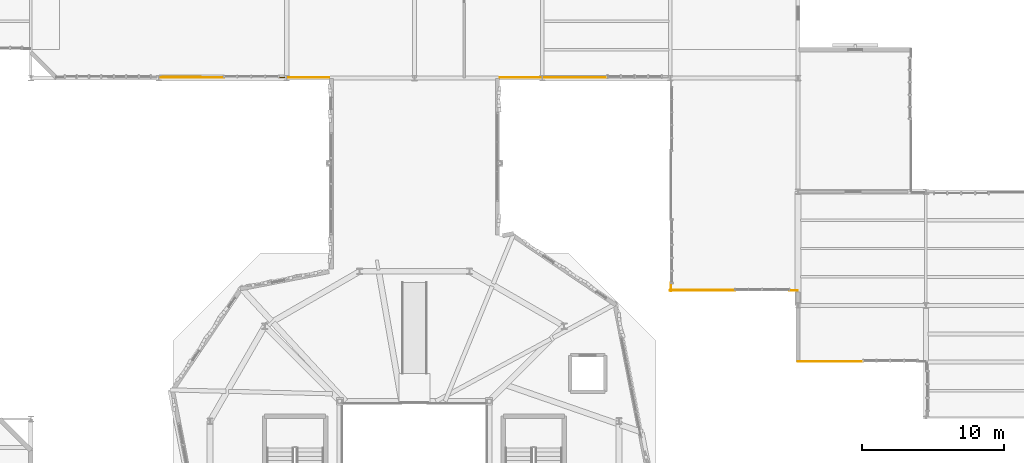
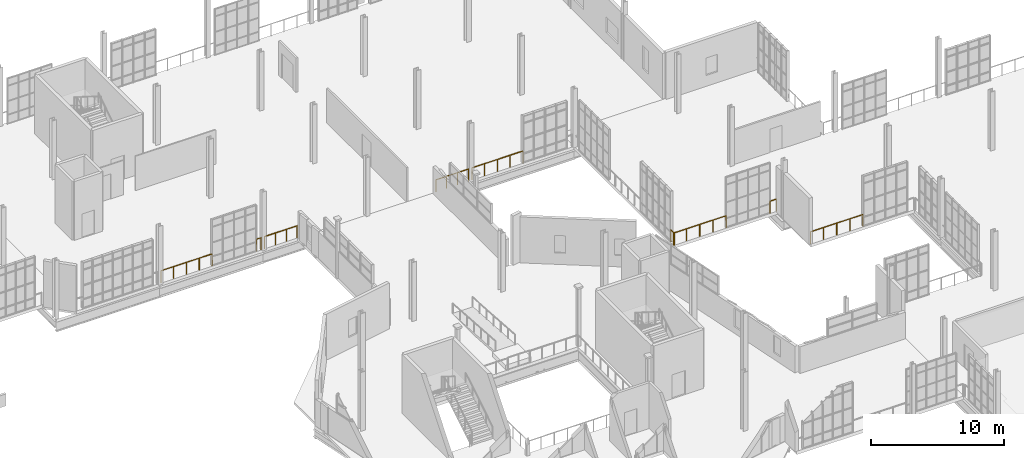
# One storey, part 137 of 142: 9 railings.
"""IFC4 building model written with IfcOpenShell, lengths in metres."""

from ifc_helpers import new_model, si_unit, direction, frame, origin, origin_2d, place, context, subcontext, project, spatial, circle, extrude, material, type_object, element, save


model = new_model("IFC4")

# Units and contexts
model_context = context("Model", 3, precision=1e-05, world=origin(), true_north=direction((0.0, 1.0)))
body_context = subcontext(model_context, "Body", "Model", "MODEL_VIEW")
ifc_project = project(units=[si_unit("LENGTHUNIT", "METRE"), si_unit("AREAUNIT", "SQUARE_METRE"), si_unit("VOLUMEUNIT", "CUBIC_METRE"), si_unit("PLANEANGLEUNIT", "RADIAN"), si_unit("MASSUNIT", "GRAM", prefix="KILO"), si_unit("THERMODYNAMICTEMPERATUREUNIT", "KELVIN"), si_unit("POWERUNIT", "WATT")], contexts=[model_context])

# Site, building, storey
site_placement = place(None, origin())
site = spatial("IfcSite", under=ifc_project, at=site_placement, CompositionType="ELEMENT")
building_placement = place(site_placement, origin())
building = spatial("IfcBuilding", under=site, at=building_placement, Name="Zelmaris Science Centre", CompositionType="ELEMENT")
storey_placement = place(building_placement, frame((0.0, 0.0, 5.39990234375)))
storey = spatial("IfcBuildingStorey", under=building, at=storey_placement, Name="L01", CompositionType="ELEMENT", Elevation=5.39990234375)

# Railings
ifc_material = material(Name="Architectural bronze alloy C28000")
railing_type = type_object("IfcRailingType", Name="Balustrade GD-01 H1120", PredefinedType="BALUSTRADE", material=ifc_material)
railing_1_placement = place(storey_placement, frame((94.57666015625, 64.047119140625, 0.0)))
element("IfcRailing", 1, at=railing_1_placement, inside=storey, type_object=railing_type, Name="L01 Perimeter safety balustrade 95", PredefinedType="BALUSTRADE", context=body_context, shape_type="SweptSolid", body=[
    extrude(circle(Radius=0.02392578125, at=origin_2d()), frame((0.0, 0.0, 1.09619140625), z_axis=(-0.999999816143, -0.000606394596, 0.0), x_axis=(0.000606394596, -0.999999816143, 0.0)), (0.0, 0.0, 1.0), 4.4287109375),
    extrude(circle(Radius=0.02099609375, at=origin_2d()), origin(), (0.0, 0.0, 1.0), 1.072021484375),
    extrude(circle(Radius=0.02099609375, at=origin_2d()), frame((-1.107177734375, -0.000732421875, 0.0)), (0.0, 0.0, 1.0), 1.072021484375),
    extrude(circle(Radius=0.02099609375, at=origin_2d()), frame((-2.21435546875, -0.00146484375, 0.0)), (0.0, 0.0, 1.0), 1.072021484375),
    extrude(circle(Radius=0.02099609375, at=origin_2d()), frame((-3.321533203125, -0.001953125, 0.0)), (0.0, 0.0, 1.0), 1.072021484375),
    extrude(circle(Radius=0.02099609375, at=origin_2d()), frame((-4.4287109375, -0.002685546875, 0.0)), (0.0, 0.0, 1.0), 1.072021484375),
])
railing_2_placement = place(storey_placement, frame((89.85205078125, 64.044189453125, 0.0)))
element("IfcRailing", 2, at=railing_2_placement, inside=storey, type_object=railing_type, Name="L01 Perimeter safety balustrade 96", PredefinedType="BALUSTRADE", context=body_context, shape_type="SweptSolid", body=[
    extrude(circle(Radius=0.02392578125, at=origin_2d()), frame((0.0, 0.0, 1.09619140625), z_axis=(-0.999999818239, -0.0006029284, 0.0), x_axis=(0.0006029284, -0.999999818239, 0.0)), (0.0, 0.0, 1.0), 2.83447265625),
    extrude(circle(Radius=0.02099609375, at=origin_2d()), origin(), (0.0, 0.0, 1.0), 1.072021484375),
    extrude(circle(Radius=0.02099609375, at=origin_2d()), frame((-0.94482421875, -0.00048828125, 0.0)), (0.0, 0.0, 1.0), 1.072021484375),
    extrude(circle(Radius=0.02099609375, at=origin_2d()), frame((-1.8896484375, -0.001220703125, 0.0)), (0.0, 0.0, 1.0), 1.072021484375),
    extrude(circle(Radius=0.02099609375, at=origin_2d()), frame((-2.83447265625, -0.001708984375, 0.0)), (0.0, 0.0, 1.0), 1.072021484375),
])
railing_3_placement = place(storey_placement, frame((112.5791015625, 44.052978515625, 0.0)))
element("IfcRailing", 3, at=railing_3_placement, inside=storey, type_object=railing_type, Name="L01 Perimeter safety balustrade 104", PredefinedType="BALUSTRADE", context=body_context, shape_type="SweptSolid", body=[
    extrude(circle(Radius=0.02392578125, at=origin_2d()), frame((0.0, 0.0, 1.09619140625), z_axis=(-0.999998804551, 0.001546252484, 0.0), x_axis=(-0.001546252484, -0.999998804551, 0.0)), (0.0, 0.0, 1.0), 4.578857421875),
    extrude(circle(Radius=0.02099609375, at=origin_2d()), origin(), (0.0, 0.0, 1.0), 1.072021484375),
    extrude(circle(Radius=0.02099609375, at=origin_2d()), frame((-1.144775390625, 0.001708984375, 0.0)), (0.0, 0.0, 1.0), 1.072021484375),
    extrude(circle(Radius=0.02099609375, at=origin_2d()), frame((-2.28955078125, 0.00341796875, 0.0)), (0.0, 0.0, 1.0), 1.072021484375),
    extrude(circle(Radius=0.02099609375, at=origin_2d()), frame((-3.43408203125, 0.00537109375, 0.0)), (0.0, 0.0, 1.0), 1.072021484375),
    extrude(circle(Radius=0.02099609375, at=origin_2d()), frame((-4.578857421875, 0.007080078125, 0.0)), (0.0, 0.0, 1.0), 1.072021484375),
])
railing_4_placement = place(storey_placement, frame((107.95751953125, 49.057373046875, 0.0)))
element("IfcRailing", 4, at=railing_4_placement, inside=storey, type_object=railing_type, Name="L01 Perimeter safety balustrade 105", PredefinedType="BALUSTRADE", context=body_context, shape_type="SweptSolid", body=[
    extrude(circle(Radius=0.02392578125, at=origin_2d()), frame((0.0, 0.0, 1.09619140625), z_axis=(-0.999999908294, 0.000428265485, 0.0), x_axis=(-0.000428265485, -0.999999908294, 0.0)), (0.0, 0.0, 1.0), 0.570068359375),
    extrude(circle(Radius=0.02099609375, at=origin_2d()), origin(), (0.0, 0.0, 1.0), 1.072021484375),
    extrude(circle(Radius=0.02099609375, at=origin_2d()), frame((-0.570068359375, 0.000244140625, 0.0)), (0.0, 0.0, 1.0), 1.072021484375),
])
railing_5_placement = place(storey_placement, frame((103.568603515625, 49.05859375, 0.0)))
element("IfcRailing", 5, at=railing_5_placement, inside=storey, type_object=railing_type, Name="L01 Perimeter safety balustrade 106", PredefinedType="BALUSTRADE", context=body_context, shape_type="SweptSolid", body=[
    extrude(circle(Radius=0.02392578125, at=origin_2d()), frame((0.0, 0.0, 1.09619140625), z_axis=(-0.999999948597, 0.000320632699, 0.0), x_axis=(-0.000320632699, -0.999999948597, 0.0)), (0.0, 0.0, 1.0), 4.568603515625),
    extrude(circle(Radius=0.02099609375, at=origin_2d()), origin(), (0.0, 0.0, 1.0), 1.072021484375),
    extrude(circle(Radius=0.02099609375, at=origin_2d()), frame((-1.14208984375, 0.00048828125, 0.0)), (0.0, 0.0, 1.0), 1.072021484375),
    extrude(circle(Radius=0.02099609375, at=origin_2d()), frame((-2.2841796875, 0.000732421875, 0.0)), (0.0, 0.0, 1.0), 1.072021484375),
    extrude(circle(Radius=0.02099609375, at=origin_2d()), frame((-3.426513671875, 0.0009765625, 0.0)), (0.0, 0.0, 1.0), 1.072021484375),
    extrude(circle(Radius=0.02099609375, at=origin_2d()), frame((-4.568603515625, 0.00146484375, 0.0)), (0.0, 0.0, 1.0), 1.072021484375),
])
railing_6_placement = place(storey_placement, frame((99.06005859375, 49.0, 0.0)))
element("IfcRailing", 6, at=railing_6_placement, inside=storey, type_object=railing_type, Name="L01 Perimeter safety balustrade 107", PredefinedType="BALUSTRADE", context=body_context, shape_type="SweptSolid", body=[
    extrude(circle(Radius=0.02392578125, at=origin_2d()), frame((0.0, 0.0, 1.09619140625), z_axis=(0.0, 1.0, 0.0), x_axis=(-1.0, 0.0, 0.0)), (0.0, 0.0, 1.0), 0.570068359375),
    extrude(circle(Radius=0.02099609375, at=origin_2d()), origin(), (0.0, 0.0, 1.0), 1.072021484375),
    extrude(circle(Radius=0.02099609375, at=origin_2d()), frame((0.0, 0.570068359375, 0.0)), (0.0, 0.0, 1.0), 1.072021484375),
])
railing_7_placement = place(storey_placement, frame((74.982421875, 64.04248046875, 0.0)))
element("IfcRailing", 7, at=railing_7_placement, inside=storey, type_object=railing_type, Name="L01 Perimeter safety balustrade 110", PredefinedType="BALUSTRADE", context=body_context, shape_type="SweptSolid", body=[
    extrude(circle(Radius=0.02392578125, at=origin_2d()), frame((0.0, 0.0, 1.09619140625), z_axis=(-0.999999628995, 0.000861400318, 0.0), x_axis=(-0.000861400318, -0.999999628995, 0.0)), (0.0, 0.0, 1.0), 2.834228515625),
    extrude(circle(Radius=0.02099609375, at=origin_2d()), origin(), (0.0, 0.0, 1.0), 1.072021484375),
    extrude(circle(Radius=0.02099609375, at=origin_2d()), frame((-0.94482421875, 0.000732421875, 0.0)), (0.0, 0.0, 1.0), 1.072021484375),
    extrude(circle(Radius=0.02099609375, at=origin_2d()), frame((-1.889404296875, 0.001708984375, 0.0)), (0.0, 0.0, 1.0), 1.072021484375),
    extrude(circle(Radius=0.02099609375, at=origin_2d()), frame((-2.834228515625, 0.00244140625, 0.0)), (0.0, 0.0, 1.0), 1.072021484375),
])
railing_8_placement = place(storey_placement, frame((71.85205078125, 64.04541015625, 0.0)))
element("IfcRailing", 8, at=railing_8_placement, inside=storey, type_object=railing_type, Name="L01 Perimeter safety balustrade 111", PredefinedType="BALUSTRADE", context=body_context, shape_type="SweptSolid", body=[
    extrude(circle(Radius=0.02392578125, at=origin_2d()), frame((0.0, 0.0, 1.09619140625), z_axis=(-0.999999832745, 0.000578368903, 0.0), x_axis=(-0.000578368903, -0.999999832745, 0.0)), (0.0, 0.0, 1.0), 0.422119140625),
    extrude(circle(Radius=0.02099609375, at=origin_2d()), origin(), (0.0, 0.0, 1.0), 1.072021484375),
    extrude(circle(Radius=0.02099609375, at=origin_2d()), frame((-0.422119140625, 0.000244140625, 0.0)), (0.0, 0.0, 1.0), 1.072021484375),
])
railing_9_placement = place(storey_placement, frame((67.590087890625, 64.04931640625, 0.0)))
element("IfcRailing", 9, at=railing_9_placement, inside=storey, type_object=railing_type, Name="L01 Perimeter safety balustrade 112", PredefinedType="BALUSTRADE", context=body_context, shape_type="SweptSolid", body=[
    extrude(circle(Radius=0.02392578125, at=origin_2d()), frame((0.0, 0.0, 1.09619140625), z_axis=(-0.999999613319, 0.000879410455, 0.0), x_axis=(-0.000879410455, -0.999999613319, 0.0)), (0.0, 0.0, 1.0), 4.44189453125),
    extrude(circle(Radius=0.02099609375, at=origin_2d()), origin(), (0.0, 0.0, 1.0), 1.072021484375),
    extrude(circle(Radius=0.02099609375, at=origin_2d()), frame((-1.1103515625, 0.0009765625, 0.0)), (0.0, 0.0, 1.0), 1.072021484375),
    extrude(circle(Radius=0.02099609375, at=origin_2d()), frame((-2.220947265625, 0.001953125, 0.0)), (0.0, 0.0, 1.0), 1.072021484375),
    extrude(circle(Radius=0.02099609375, at=origin_2d()), frame((-3.33154296875, 0.0029296875, 0.0)), (0.0, 0.0, 1.0), 1.072021484375),
    extrude(circle(Radius=0.02099609375, at=origin_2d()), frame((-4.44189453125, 0.00390625, 0.0)), (0.0, 0.0, 1.0), 1.072021484375),
])

save(model, "model.ifc")
